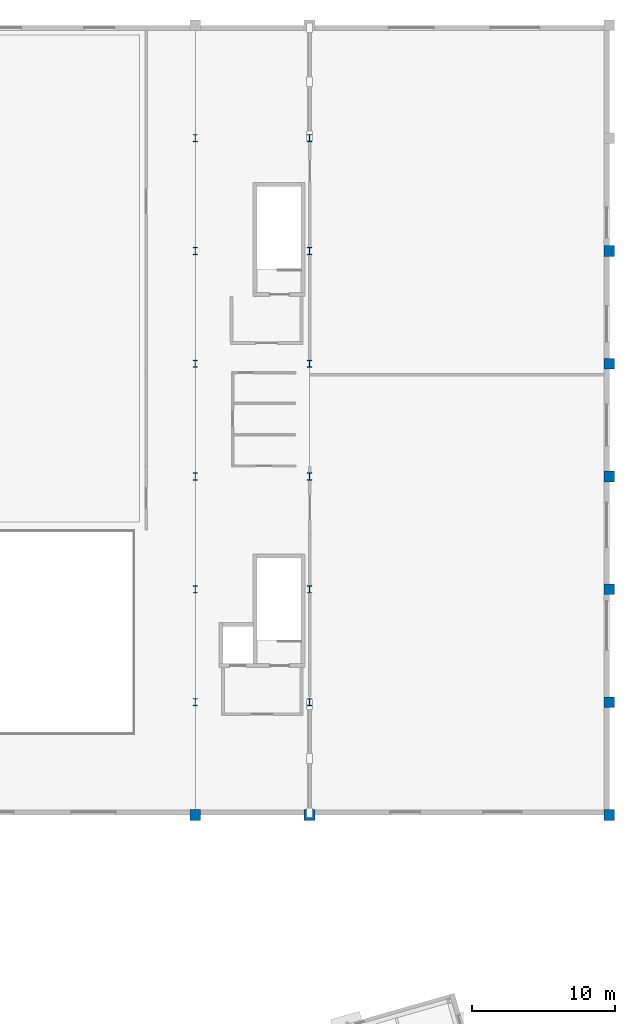
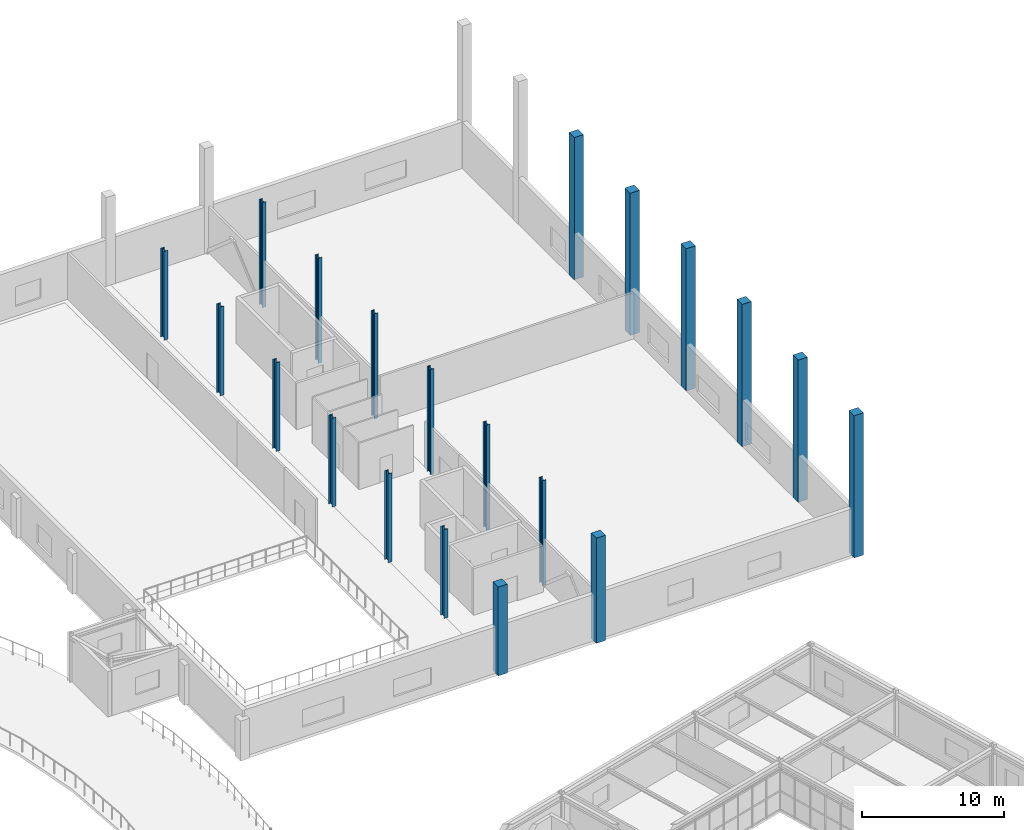
# One storey, part 14 of 59: 20 columns.
"""IFC4 building model written with IfcOpenShell, lengths in metres."""

from ifc_helpers import new_model, si_unit, direction, frame, origin, origin_2d, place, context, subcontext, project, spatial, rectangle, i_section, extrude, material, material_profile, profile_set, type_object, element, save


model = new_model("IFC4")

# Units and contexts
model_context = context("Model", 3, precision=1e-05, world=origin(), true_north=direction((0.0, 1.0)))
body_context = subcontext(model_context, "Body", "Model", "MODEL_VIEW")
ifc_project = project(units=[si_unit("LENGTHUNIT", "METRE"), si_unit("AREAUNIT", "SQUARE_METRE"), si_unit("VOLUMEUNIT", "CUBIC_METRE"), si_unit("PLANEANGLEUNIT", "RADIAN"), si_unit("MASSUNIT", "GRAM", prefix="KILO")], contexts=[model_context])

# Site, building, storey
site_placement = place(None, origin())
site = spatial("IfcSite", under=ifc_project, at=site_placement, CompositionType="ELEMENT")
building_placement = place(site_placement, origin())
building = spatial("IfcBuilding", under=site, at=building_placement, Name="Varnklinge Art Gallery", CompositionType="ELEMENT")
storey_placement = place(building_placement, frame((0.0, 0.0, 9.52001953125)))
storey = spatial("IfcBuildingStorey", under=building, at=storey_placement, Name="L02", CompositionType="ELEMENT", Elevation=9.52001953125)

# Columns
ifc_material_1 = material(Name="Steel S355", Category="steel")
ifc_material_profile_1 = material_profile(ifc_material_1, i_section(OverallWidth=0.300048828125, OverallDepth=0.5, WebThickness=0.014404296875, FlangeThickness=0.028076171875, FilletRadius=0.027099609375, at=origin_2d()), Name="HEB 500")
ifc_profile_set_1 = profile_set([ifc_material_profile_1], Name="Steel S355")
column_type_1 = type_object("IfcColumnType", Name="COL-05", PredefinedType="COLUMN", material=ifc_profile_set_1)
for number, where, z_axis, x_axis, name in (
    (1, (135.39990234375, 66.10009765625, 0.0), (0.0, 0.0, 1.0), (1.0, 0.0, 0.0), "L02 Column V1C-2-2"),
    (2, (135.39990234375, 74.0, 0.0), (0.0, 0.0, 1.0), (1.0, 0.0, 0.0), "L02 Column V1C-2-3"),
    (3, (135.39990234375, 81.89990234375, 0.0), (0.0, 0.0, 1.0), (1.0, 0.0, 0.0), "L02 Column V1C-2-4"),
    (4, (135.39990234375, 89.800048828125, 0.0), (0.0, 0.0, 1.0), (1.0, 0.0, 0.0), "L02 Column V1C-2-5"),
    (5, (135.39990234375, 97.699951171875, 0.0), (0.0, 0.0, 1.0), (1.0, 0.0, 0.0), "L02 Column V1C-2-6"),
    (6, (135.39990234375, 105.60009765625, 0.0), (0.0, 0.0, 1.0), (1.0, 0.0, 0.0), "L02 Column V1C-2-7"),
):
    element("IfcColumn", number, at=place(storey_placement, frame(where, z_axis=z_axis, x_axis=x_axis)), inside=storey, type_object=column_type_1, Name=name, PredefinedType="COLUMN", context=body_context, shape_type="SweptSolid", body=[
        extrude(i_section(OverallWidth=0.300048828125, OverallDepth=0.5, WebThickness=0.014404296875, FlangeThickness=0.028076171875, FilletRadius=0.027099609375, at=origin_2d()), origin(), (0.0, 0.0, 1.0), 7.64990234375),
    ])
for number, where, z_axis, x_axis, name in (
    (7, (143.39990234375, 66.10009765625, 0.0), (0.0, 0.0, 1.0), (1.0, 0.0, 0.0), "L02 Column V1C-3-2"),
    (8, (143.39990234375, 74.0, 0.0), (0.0, 0.0, 1.0), (1.0, 0.0, 0.0), "L02 Column V1C-3-3"),
    (9, (143.39990234375, 81.89990234375, 0.0), (0.0, 0.0, 1.0), (1.0, 0.0, 0.0), "L02 Column V1C-3-4"),
    (10, (143.39990234375, 89.800048828125, 0.0), (0.0, 0.0, 1.0), (1.0, 0.0, 0.0), "L02 Column V1C-3-5"),
    (11, (143.39990234375, 97.699951171875, 0.0), (0.0, 0.0, 1.0), (1.0, 0.0, 0.0), "L02 Column V1C-3-6"),
    (12, (143.39990234375, 105.60009765625, 0.0), (0.0, 0.0, 1.0), (1.0, 0.0, 0.0), "L02 Column V1C-3-7"),
):
    element("IfcColumn", number, at=place(storey_placement, frame(where, z_axis=z_axis, x_axis=x_axis)), inside=storey, type_object=column_type_1, Name=name, PredefinedType="COLUMN", context=body_context, shape_type="SweptSolid", body=[
        extrude(i_section(OverallWidth=0.300048828125, OverallDepth=0.5, WebThickness=0.014404296875, FlangeThickness=0.028076171875, FilletRadius=0.027099609375, at=origin_2d()), origin(), (0.0, 0.0, 1.0), 9.050048828125),
    ])
ifc_material_2 = material(Name="Concrete C40/50", Category="concrete")
ifc_material_profile_2 = material_profile(ifc_material_2, rectangle(XDim=0.75, YDim=0.75, at=origin_2d()), Name="RC 750x750")
ifc_profile_set_2 = profile_set([ifc_material_profile_2], Name="Concrete C40/50")
column_type_2 = type_object("IfcColumnType", Name="PIL-01", PredefinedType="PILASTER", material=ifc_profile_set_2)
column_1_placement = place(storey_placement, frame((135.39990234375, 58.199951171875, 0.0), z_axis=(0.0, 0.0, 1.0), x_axis=(1.0, 0.0, 0.0)))
element("IfcColumn", 13, at=column_1_placement, inside=storey, type_object=column_type_2, Name="L02 Column V1C-2-1", PredefinedType="PILASTER", context=body_context, shape_type="SweptSolid", body=[
    extrude(rectangle(XDim=0.75, YDim=0.75, at=origin_2d()), origin(), (0.0, 0.0, 1.0), 7.64990234375),
])
column_2_placement = place(storey_placement, frame((143.39990234375, 58.199951171875, 0.0), z_axis=(0.0, 0.0, 1.0), x_axis=(1.0, 0.0, 0.0)))
element("IfcColumn", 14, at=column_2_placement, inside=storey, type_object=column_type_2, Name="L02 Column V1C-3-1", PredefinedType="PILASTER", context=body_context, shape_type="SweptSolid", body=[
    extrude(rectangle(XDim=0.75, YDim=0.75, at=origin_2d()), origin(), (0.0, 0.0, 1.0), 9.050048828125),
])
for number, where, z_axis, x_axis, name in (
    (15, (164.39990234375, 58.199951171875, 0.0), (0.0, 0.0, 1.0), (1.0, 0.0, 0.0), "L02 Column V1C-4-1"),
    (16, (164.39990234375, 66.10009765625, 0.0), (0.0, 0.0, 1.0), (1.0, 0.0, 0.0), "L02 Column V1C-4-2"),
    (17, (164.39990234375, 74.0, 0.0), (0.0, 0.0, 1.0), (1.0, 0.0, 0.0), "L02 Column V1C-4-3"),
    (18, (164.39990234375, 81.89990234375, 0.0), (0.0, 0.0, 1.0), (1.0, 0.0, 0.0), "L02 Column V1C-4-4"),
    (19, (164.39990234375, 89.800048828125, 0.0), (0.0, 0.0, 1.0), (1.0, 0.0, 0.0), "L02 Column V1C-4-5"),
    (20, (164.39990234375, 97.699951171875, 0.0), (0.0, 0.0, 1.0), (1.0, 0.0, 0.0), "L02 Column V1C-4-6"),
):
    element("IfcColumn", number, at=place(storey_placement, frame(where, z_axis=z_axis, x_axis=x_axis)), inside=storey, type_object=column_type_2, Name=name, PredefinedType="PILASTER", context=body_context, shape_type="SweptSolid", body=[
        extrude(rectangle(XDim=0.75, YDim=0.75, at=origin_2d()), origin(), (0.0, 0.0, 1.0), 12.25),
    ])

save(model, "model.ifc")
